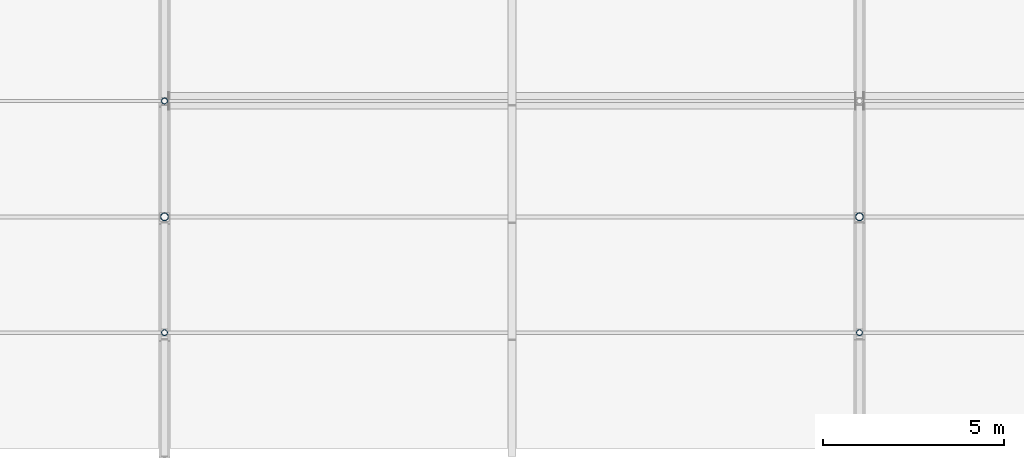
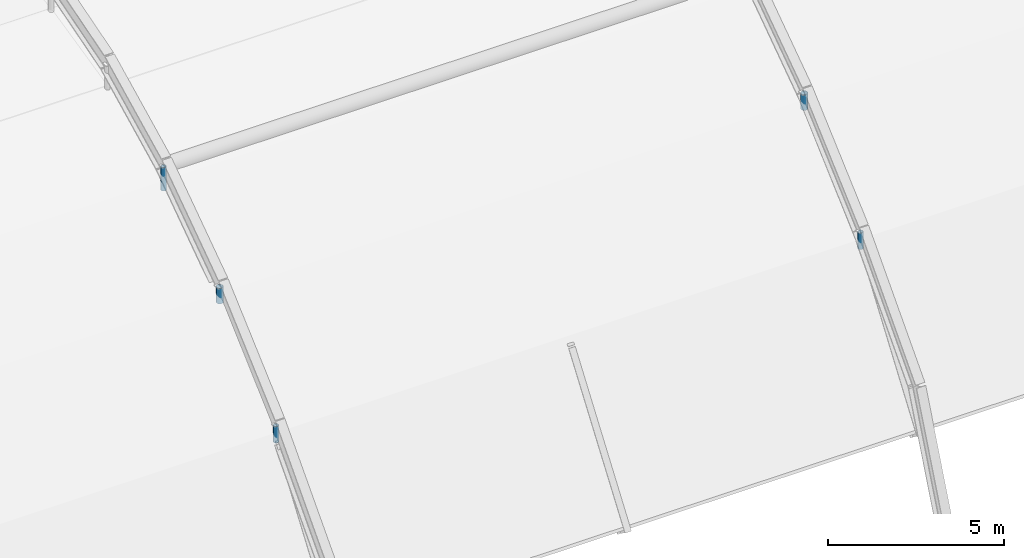
# One storey, part 98 of 126: 5 members.
"""IFC4 building model written with IfcOpenShell, lengths in metres."""

from ifc_helpers import new_model, si_unit, direction, frame, origin, origin_2d, place, context, subcontext, project, spatial, hollow_circle, extrude, material, material_profile, profile_set, type_object, element, save


model = new_model("IFC4")

# Units and contexts
model_context = context("Model", 3, precision=1e-05, world=origin(), true_north=direction((0.0, 1.0)))
body_context = subcontext(model_context, "Body", "Model", "MODEL_VIEW")
ifc_project = project(units=[si_unit("LENGTHUNIT", "METRE"), si_unit("AREAUNIT", "SQUARE_METRE"), si_unit("VOLUMEUNIT", "CUBIC_METRE"), si_unit("PLANEANGLEUNIT", "RADIAN"), si_unit("MASSUNIT", "GRAM", prefix="KILO")], contexts=[model_context])

# Site, building, storey
site_placement = place(None, origin())
site = spatial("IfcSite", under=ifc_project, at=site_placement, CompositionType="ELEMENT")
building_placement = place(site_placement, origin())
building = spatial("IfcBuilding", under=site, at=building_placement, Name="Coralgate Yard Interchange", CompositionType="ELEMENT")
storey_placement = place(building_placement, frame((0.0, 0.0, 10.5)))
storey = spatial("IfcBuildingStorey", under=building, at=storey_placement, Name="L02", CompositionType="ELEMENT", Elevation=10.5)

# Members
ifc_material = material(Name="Yellow-ochre weather-coated structural steel S355J2", Category="steel")
ifc_material_profile_1 = material_profile(ifc_material, hollow_circle(Radius=0.109619140625, WallThickness=0.010009765625, at=origin_2d()), Name="CHS 219.1x10")
ifc_profile_set_1 = profile_set([ifc_material_profile_1], Name="Yellow-ochre weather-coated structural steel S355J2")
member_type_1 = type_object("IfcMemberType", Name="MB-HG-1", PredefinedType="STRUT", material=ifc_profile_set_1)
for number, where, z_axis, x_axis, name in (
    (1, (48.0, 44.800048828125, 7.44921875), (0.0, 0.0, 1.0), (1.0, 0.0, 0.0), "Arch AR-1 steel suspension hanger 2"),
    (2, (67.199951171875, 44.800048828125, 7.44921875), (0.0, 0.0, 1.0), (1.0, 0.0, 0.0), "Arch AR-2 steel suspension hanger 2"),
):
    element("IfcMember", number, at=place(storey_placement, frame(where, z_axis=z_axis, x_axis=x_axis)), inside=storey, type_object=member_type_1, Name=name, PredefinedType="STRUT", context=body_context, shape_type="SweptSolid", body=[
        extrude(hollow_circle(Radius=0.109619140625, WallThickness=0.010009765625, at=origin_2d()), origin(), (0.0, 0.0, 1.0), 0.539794921875),
    ])
ifc_material_profile_2 = material_profile(ifc_material, hollow_circle(Radius=0.084228515625, WallThickness=0.008056640625, at=origin_2d()), Name="CHS 168.3x8")
ifc_profile_set_2 = profile_set([ifc_material_profile_2], Name="Yellow-ochre weather-coated structural steel S355J2")
member_type_2 = type_object("IfcMemberType", Name="MB-HG-2", PredefinedType="STRUT", material=ifc_profile_set_2)
member_1_placement = place(storey_placement, frame((48.0, 41.60009765625, 4.5361328125), z_axis=(0.0, 0.0, 1.0), x_axis=(1.0, 0.0, 0.0)))
element("IfcMember", 3, at=member_1_placement, inside=storey, type_object=member_type_2, Name="Arch AR-1 steel suspension hanger 1", PredefinedType="STRUT", context=body_context, shape_type="SweptSolid", body=[
    extrude(hollow_circle(Radius=0.084228515625, WallThickness=0.008056640625, at=origin_2d()), origin(), (0.0, 0.0, 1.0), 0.577880859375),
])
member_2_placement = place(storey_placement, frame((48.0, 48.0, 9.41259765625), z_axis=(0.0, 0.0, 1.0), x_axis=(1.0, 0.0, 0.0)))
element("IfcMember", 4, at=member_2_placement, inside=storey, type_object=member_type_2, Name="Arch AR-1 steel suspension hanger 3", PredefinedType="STRUT", context=body_context, shape_type="SweptSolid", body=[
    extrude(hollow_circle(Radius=0.084228515625, WallThickness=0.008056640625, at=origin_2d()), origin(), (0.0, 0.0, 1.0), 0.8125),
])
member_3_placement = place(storey_placement, frame((67.199951171875, 41.60009765625, 4.5361328125), z_axis=(0.0, 0.0, 1.0), x_axis=(1.0, 0.0, 0.0)))
element("IfcMember", 5, at=member_3_placement, inside=storey, type_object=member_type_2, Name="Arch AR-2 steel suspension hanger 1", PredefinedType="STRUT", context=body_context, shape_type="SweptSolid", body=[
    extrude(hollow_circle(Radius=0.084228515625, WallThickness=0.008056640625, at=origin_2d()), origin(), (0.0, 0.0, 1.0), 0.577880859375),
])

save(model, "model.ifc")
